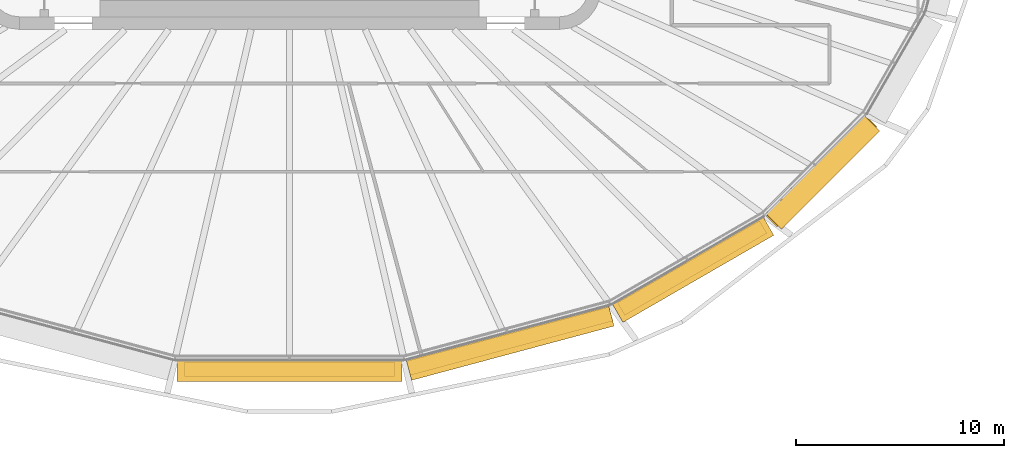
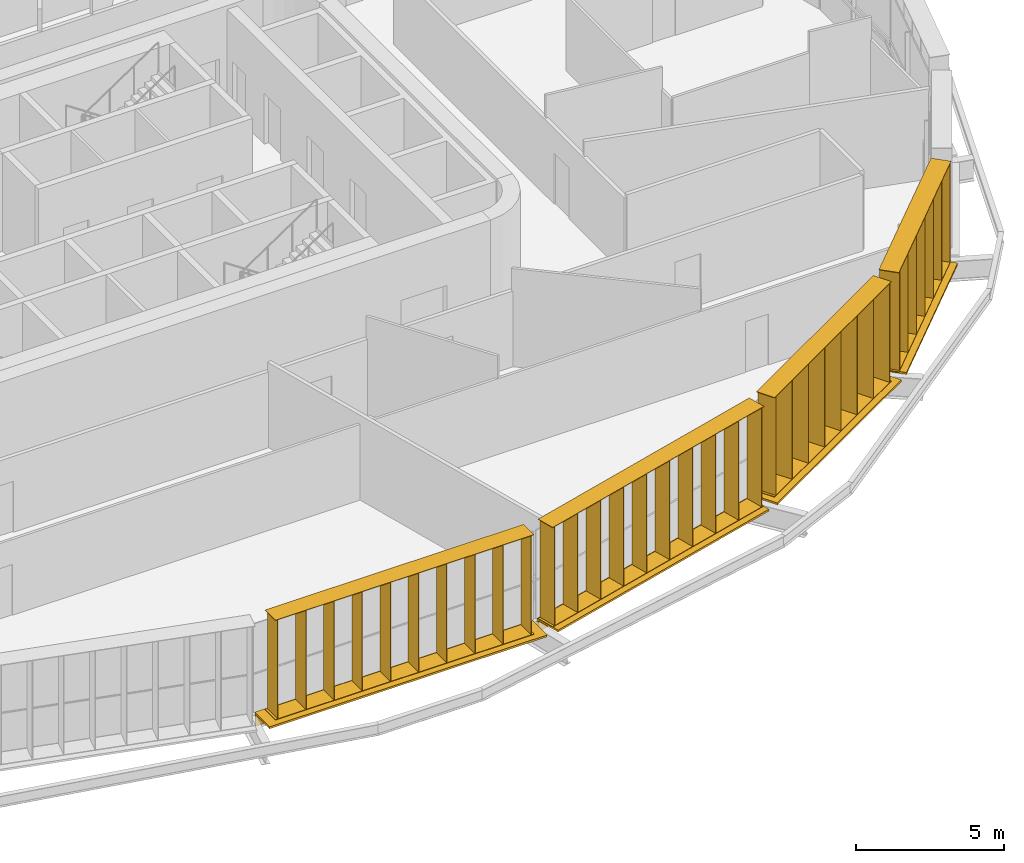
# One storey, part 21 of 24: 8 shading devices.
"""IFC4 building model written with IfcOpenShell, lengths in metres."""

from ifc_helpers import new_model, si_unit, direction, frame, origin, origin_2d, place, context, subcontext, project, spatial, rectangle, extrude, material, type_object, element, save


model = new_model("IFC4")

# Units and contexts
model_context = context("Model", 3, precision=1e-05, world=origin(), true_north=direction((0.0, 1.0)))
body_context = subcontext(model_context, "Body", "Model", "MODEL_VIEW")
ifc_project = project(units=[si_unit("LENGTHUNIT", "METRE"), si_unit("AREAUNIT", "SQUARE_METRE"), si_unit("VOLUMEUNIT", "CUBIC_METRE"), si_unit("PLANEANGLEUNIT", "RADIAN"), si_unit("MASSUNIT", "GRAM", prefix="KILO")], contexts=[model_context])

# Site, building, storey
site_placement = place(None, origin())
site = spatial("IfcSite", under=ifc_project, at=site_placement, CompositionType="ELEMENT")
building_placement = place(site_placement, origin())
building = spatial("IfcBuilding", under=site, at=building_placement, Name="Sahrelin Media Tower", CompositionType="ELEMENT")
storey_placement = place(building_placement, frame((0.0, 0.0, 118.800048828125)))
storey = spatial("IfcBuildingStorey", under=building, at=storey_placement, Name="L23", CompositionType="ELEMENT", Elevation=118.800048828125)

# Shading devices
ifc_material = material(Name="Champagne anodised aluminium 6063-T6", Category="aluminium")
shading_device_type_1 = type_object("IfcShadingDeviceType", Name="Fin cassette", PredefinedType="USERDEFINED", material=ifc_material)
placement_1 = place(storey_placement, frame((0.0, -23.928955078125, 0.0), z_axis=(0.0, 0.0, 1.0), x_axis=(-1.0, 0.0, 0.0)))
element("IfcShadingDevice", 1, at=placement_1, inside=storey, type_object=shading_device_type_1, Name="L23:FIN:L23-18", ObjectType="FIN", PredefinedType="USERDEFINED", context=body_context, shape_type="SweptSolid", body=[
    extrude(rectangle(XDim=10.10009765625, YDim=0.699951171875, at=origin_2d()), frame((0.0, 0.419921875, 0.0)), (0.0, 0.0, 1.0), 0.02001953125),
    extrude(rectangle(XDim=10.10009765625, YDim=0.699951171875, at=origin_2d()), frame((0.0, 0.419921875, 4.10009765625)), (0.0, 0.0, 1.0), 0.02001953125),
    extrude(rectangle(XDim=0.02001953125, YDim=0.699951171875, at=origin_2d()), frame((-4.949951171875, 0.419921875, 0.010009765625), z_axis=(0.0, 0.0, 1.0), x_axis=(1.0, 0.0, 0.0)), (0.0, 0.0, 1.0), 4.10009765625),
    extrude(rectangle(XDim=0.02001953125, YDim=0.699951171875, at=origin_2d()), frame((-3.85009765625, 0.419921875, 0.010009765625), z_axis=(0.0, 0.0, 1.0), x_axis=(1.0, 0.0, 0.0)), (0.0, 0.0, 1.0), 4.10009765625),
    extrude(rectangle(XDim=0.02001953125, YDim=0.699951171875, at=origin_2d()), frame((-2.75, 0.419921875, 0.010009765625), z_axis=(0.0, 0.0, 1.0), x_axis=(1.0, 0.0, 0.0)), (0.0, 0.0, 1.0), 4.10009765625),
    extrude(rectangle(XDim=0.02001953125, YDim=0.699951171875, at=origin_2d()), frame((-1.64990234375, 0.419921875, 0.010009765625), z_axis=(0.0, 0.0, 1.0), x_axis=(1.0, 0.0, 0.0)), (0.0, 0.0, 1.0), 4.10009765625),
    extrude(rectangle(XDim=0.02001953125, YDim=0.699951171875, at=origin_2d()), frame((-0.550048828125, 0.419921875, 0.010009765625), z_axis=(0.0, 0.0, 1.0), x_axis=(1.0, 0.0, 0.0)), (0.0, 0.0, 1.0), 4.10009765625),
    extrude(rectangle(XDim=0.02001953125, YDim=0.699951171875, at=origin_2d()), frame((0.550048828125, 0.419921875, 0.010009765625), z_axis=(0.0, 0.0, 1.0), x_axis=(1.0, 0.0, 0.0)), (0.0, 0.0, 1.0), 4.10009765625),
    extrude(rectangle(XDim=0.02001953125, YDim=0.699951171875, at=origin_2d()), frame((1.64990234375, 0.419921875, 0.010009765625), z_axis=(0.0, 0.0, 1.0), x_axis=(1.0, 0.0, 0.0)), (0.0, 0.0, 1.0), 4.10009765625),
    extrude(rectangle(XDim=0.02001953125, YDim=0.699951171875, at=origin_2d()), frame((2.75, 0.419921875, 0.010009765625), z_axis=(0.0, 0.0, 1.0), x_axis=(1.0, 0.0, 0.0)), (0.0, 0.0, 1.0), 4.10009765625),
    extrude(rectangle(XDim=0.02001953125, YDim=0.699951171875, at=origin_2d()), frame((3.85009765625, 0.419921875, 0.010009765625), z_axis=(0.0, 0.0, 1.0), x_axis=(1.0, 0.0, 0.0)), (0.0, 0.0, 1.0), 4.10009765625),
    extrude(rectangle(XDim=0.02001953125, YDim=0.699951171875, at=origin_2d()), frame((4.949951171875, 0.419921875, 0.010009765625), z_axis=(0.0, 0.0, 1.0), x_axis=(1.0, 0.0, 0.0)), (0.0, 0.0, 1.0), 4.10009765625),
])
placement_2 = place(storey_placement, frame((10.487060546875, -22.59814453125, 0.0), z_axis=(0.0, 0.0, 1.0), x_axis=(-0.965928857556, -0.258807731996, 0.0)))
element("IfcShadingDevice", 2, at=placement_2, inside=storey, type_object=shading_device_type_1, Name="L23:FIN:L23-19", ObjectType="FIN", PredefinedType="USERDEFINED", context=body_context, shape_type="SweptSolid", body=[
    extrude(rectangle(XDim=10.10009765625, YDim=0.699951171875, at=origin_2d()), frame((0.0, 0.419921875, 0.0)), (0.0, 0.0, 1.0), 0.02001953125),
    extrude(rectangle(XDim=10.10009765625, YDim=0.699951171875, at=origin_2d()), frame((0.0, 0.419921875, 4.10009765625)), (0.0, 0.0, 1.0), 0.02001953125),
    extrude(rectangle(XDim=0.02001953125, YDim=0.699951171875, at=origin_2d()), frame((-4.949951171875, 0.419921875, 0.010009765625), z_axis=(0.0, 0.0, 1.0), x_axis=(1.0, 0.0, 0.0)), (0.0, 0.0, 1.0), 4.10009765625),
    extrude(rectangle(XDim=0.02001953125, YDim=0.699951171875, at=origin_2d()), frame((-3.85009765625, 0.419921875, 0.010009765625), z_axis=(0.0, 0.0, 1.0), x_axis=(1.0, 0.0, 0.0)), (0.0, 0.0, 1.0), 4.10009765625),
    extrude(rectangle(XDim=0.02001953125, YDim=0.699951171875, at=origin_2d()), frame((-2.75, 0.419921875, 0.010009765625), z_axis=(0.0, 0.0, 1.0), x_axis=(1.0, 0.0, 0.0)), (0.0, 0.0, 1.0), 4.10009765625),
    extrude(rectangle(XDim=0.02001953125, YDim=0.699951171875, at=origin_2d()), frame((-1.64990234375, 0.419921875, 0.010009765625), z_axis=(0.0, 0.0, 1.0), x_axis=(1.0, 0.0, 0.0)), (0.0, 0.0, 1.0), 4.10009765625),
    extrude(rectangle(XDim=0.02001953125, YDim=0.699951171875, at=origin_2d()), frame((-0.550048828125, 0.419921875, 0.010009765625), z_axis=(0.0, 0.0, 1.0), x_axis=(1.0, 0.0, 0.0)), (0.0, 0.0, 1.0), 4.10009765625),
    extrude(rectangle(XDim=0.02001953125, YDim=0.699951171875, at=origin_2d()), frame((0.550048828125, 0.419921875, 0.010009765625), z_axis=(0.0, 0.0, 1.0), x_axis=(1.0, 0.0, 0.0)), (0.0, 0.0, 1.0), 4.10009765625),
    extrude(rectangle(XDim=0.02001953125, YDim=0.699951171875, at=origin_2d()), frame((1.64990234375, 0.419921875, 0.010009765625), z_axis=(0.0, 0.0, 1.0), x_axis=(1.0, 0.0, 0.0)), (0.0, 0.0, 1.0), 4.10009765625),
    extrude(rectangle(XDim=0.02001953125, YDim=0.699951171875, at=origin_2d()), frame((2.75, 0.419921875, 0.010009765625), z_axis=(0.0, 0.0, 1.0), x_axis=(1.0, 0.0, 0.0)), (0.0, 0.0, 1.0), 4.10009765625),
    extrude(rectangle(XDim=0.02001953125, YDim=0.699951171875, at=origin_2d()), frame((3.85009765625, 0.419921875, 0.010009765625), z_axis=(0.0, 0.0, 1.0), x_axis=(1.0, 0.0, 0.0)), (0.0, 0.0, 1.0), 4.10009765625),
    extrude(rectangle(XDim=0.02001953125, YDim=0.699951171875, at=origin_2d()), frame((4.949951171875, 0.419921875, 0.010009765625), z_axis=(0.0, 0.0, 1.0), x_axis=(1.0, 0.0, 0.0)), (0.0, 0.0, 1.0), 4.10009765625),
])
placement_3 = place(storey_placement, frame((19.17041015625, -19.12158203125, 0.0), z_axis=(0.0, 0.0, 1.0), x_axis=(-0.866019052629, -0.500011000363, 0.0)))
element("IfcShadingDevice", 3, at=placement_3, inside=storey, type_object=shading_device_type_1, Name="L23:FIN:L23-20", ObjectType="FIN", PredefinedType="USERDEFINED", context=body_context, shape_type="SweptSolid", body=[
    extrude(rectangle(XDim=7.89990234375, YDim=0.699951171875, at=origin_2d()), frame((0.0, 0.419921875, 0.0)), (0.0, 0.0, 1.0), 0.02001953125),
    extrude(rectangle(XDim=7.89990234375, YDim=0.699951171875, at=origin_2d()), frame((0.0, 0.419921875, 4.10009765625)), (0.0, 0.0, 1.0), 0.02001953125),
    extrude(rectangle(XDim=0.02001953125, YDim=0.699951171875, at=origin_2d()), frame((-3.85009765625, 0.419921875, 0.010009765625), z_axis=(0.0, 0.0, 1.0), x_axis=(1.0, 0.0, 0.0)), (0.0, 0.0, 1.0), 4.10009765625),
    extrude(rectangle(XDim=0.02001953125, YDim=0.699951171875, at=origin_2d()), frame((-2.75, 0.419921875, 0.010009765625), z_axis=(0.0, 0.0, 1.0), x_axis=(1.0, 0.0, 0.0)), (0.0, 0.0, 1.0), 4.10009765625),
    extrude(rectangle(XDim=0.02001953125, YDim=0.699951171875, at=origin_2d()), frame((-1.64990234375, 0.419921875, 0.010009765625), z_axis=(0.0, 0.0, 1.0), x_axis=(1.0, 0.0, 0.0)), (0.0, 0.0, 1.0), 4.10009765625),
    extrude(rectangle(XDim=0.02001953125, YDim=0.699951171875, at=origin_2d()), frame((-0.550048828125, 0.419921875, 0.010009765625), z_axis=(0.0, 0.0, 1.0), x_axis=(1.0, 0.0, 0.0)), (0.0, 0.0, 1.0), 4.10009765625),
    extrude(rectangle(XDim=0.02001953125, YDim=0.699951171875, at=origin_2d()), frame((0.550048828125, 0.419921875, 0.010009765625), z_axis=(0.0, 0.0, 1.0), x_axis=(1.0, 0.0, 0.0)), (0.0, 0.0, 1.0), 4.10009765625),
    extrude(rectangle(XDim=0.02001953125, YDim=0.699951171875, at=origin_2d()), frame((1.64990234375, 0.419921875, 0.010009765625), z_axis=(0.0, 0.0, 1.0), x_axis=(1.0, 0.0, 0.0)), (0.0, 0.0, 1.0), 4.10009765625),
    extrude(rectangle(XDim=0.02001953125, YDim=0.699951171875, at=origin_2d()), frame((2.75, 0.419921875, 0.010009765625), z_axis=(0.0, 0.0, 1.0), x_axis=(1.0, 0.0, 0.0)), (0.0, 0.0, 1.0), 4.10009765625),
    extrude(rectangle(XDim=0.02001953125, YDim=0.699951171875, at=origin_2d()), frame((3.85009765625, 0.419921875, 0.010009765625), z_axis=(0.0, 0.0, 1.0), x_axis=(1.0, 0.0, 0.0)), (0.0, 0.0, 1.0), 4.10009765625),
])
placement_4 = place(storey_placement, frame((25.322021484375, -14.54052734375, 0.0), z_axis=(0.0, 0.0, 1.0), x_axis=(-0.707106781187, -0.707106781187, 0.0)))
element("IfcShadingDevice", 4, at=placement_4, inside=storey, type_object=shading_device_type_1, Name="L23:FIN:L23-21", ObjectType="FIN", PredefinedType="USERDEFINED", context=body_context, shape_type="SweptSolid", body=[
    extrude(rectangle(XDim=6.800048828125, YDim=0.699951171875, at=origin_2d()), frame((0.0, 0.419921875, 0.0)), (0.0, 0.0, 1.0), 0.02001953125),
    extrude(rectangle(XDim=6.800048828125, YDim=0.699951171875, at=origin_2d()), frame((0.0, 0.419921875, 4.10009765625)), (0.0, 0.0, 1.0), 0.02001953125),
    extrude(rectangle(XDim=0.02001953125, YDim=0.699951171875, at=origin_2d()), frame((-3.300048828125, 0.419921875, 0.010009765625), z_axis=(0.0, 0.0, 1.0), x_axis=(1.0, 0.0, 0.0)), (0.0, 0.0, 1.0), 4.10009765625),
    extrude(rectangle(XDim=0.02001953125, YDim=0.699951171875, at=origin_2d()), frame((-2.199951171875, 0.419921875, 0.010009765625), z_axis=(0.0, 0.0, 1.0), x_axis=(1.0, 0.0, 0.0)), (0.0, 0.0, 1.0), 4.10009765625),
    extrude(rectangle(XDim=0.02001953125, YDim=0.699951171875, at=origin_2d()), frame((-1.10009765625, 0.419921875, 0.010009765625), z_axis=(0.0, 0.0, 1.0), x_axis=(1.0, 0.0, 0.0)), (0.0, 0.0, 1.0), 4.10009765625),
    extrude(rectangle(XDim=0.02001953125, YDim=0.699951171875, at=origin_2d()), frame((0.0, 0.419921875, 0.010009765625), z_axis=(0.0, 0.0, 1.0), x_axis=(1.0, 0.0, 0.0)), (0.0, 0.0, 1.0), 4.10009765625),
    extrude(rectangle(XDim=0.02001953125, YDim=0.699951171875, at=origin_2d()), frame((1.10009765625, 0.419921875, 0.010009765625), z_axis=(0.0, 0.0, 1.0), x_axis=(1.0, 0.0, 0.0)), (0.0, 0.0, 1.0), 4.10009765625),
    extrude(rectangle(XDim=0.02001953125, YDim=0.699951171875, at=origin_2d()), frame((2.199951171875, 0.419921875, 0.010009765625), z_axis=(0.0, 0.0, 1.0), x_axis=(1.0, 0.0, 0.0)), (0.0, 0.0, 1.0), 4.10009765625),
    extrude(rectangle(XDim=0.02001953125, YDim=0.699951171875, at=origin_2d()), frame((3.300048828125, 0.419921875, 0.010009765625), z_axis=(0.0, 0.0, 1.0), x_axis=(1.0, 0.0, 0.0)), (0.0, 0.0, 1.0), 4.10009765625),
])
shading_device_type_2 = type_object("IfcShadingDeviceType", Name="Sunshade band", PredefinedType="USERDEFINED", material=ifc_material)
element("IfcShadingDevice", 5, at=placement_1, inside=storey, type_object=shading_device_type_2, Name="L23:SUN:L23-18", ObjectType="SUNSHADE", PredefinedType="USERDEFINED", context=body_context, shape_type="SweptSolid", body=[
    extrude(rectangle(XDim=10.840576171875, YDim=0.050048828125, at=origin_2d()), frame((0.0, 0.044921875, -0.55126953125)), (0.0, 0.0, 1.0), 0.471435546875),
    extrude(rectangle(XDim=10.840576171875, YDim=1.0, at=origin_2d()), frame((0.0, 0.52001953125, -0.080078125)), (0.0, 0.0, 1.0), 0.080078125),
    extrude(rectangle(XDim=0.10009765625, YDim=0.074951171875, at=origin_2d()), frame((-5.3203125, -0.017578125, -0.47021484375)), (0.0, 0.0, 1.0), 0.300048828125),
    extrude(rectangle(XDim=0.10009765625, YDim=0.074951171875, at=origin_2d()), frame((-3.546875, -0.017578125, -0.47021484375)), (0.0, 0.0, 1.0), 0.300048828125),
    extrude(rectangle(XDim=0.10009765625, YDim=0.074951171875, at=origin_2d()), frame((-1.7734375, -0.017578125, -0.47021484375)), (0.0, 0.0, 1.0), 0.300048828125),
    extrude(rectangle(XDim=0.10009765625, YDim=0.074951171875, at=origin_2d()), frame((0.0, -0.017578125, -0.47021484375)), (0.0, 0.0, 1.0), 0.300048828125),
    extrude(rectangle(XDim=0.10009765625, YDim=0.074951171875, at=origin_2d()), frame((1.7734375, -0.017578125, -0.47021484375)), (0.0, 0.0, 1.0), 0.300048828125),
    extrude(rectangle(XDim=0.10009765625, YDim=0.074951171875, at=origin_2d()), frame((3.546875, -0.017578125, -0.47021484375)), (0.0, 0.0, 1.0), 0.300048828125),
    extrude(rectangle(XDim=0.10009765625, YDim=0.074951171875, at=origin_2d()), frame((5.3203125, -0.017578125, -0.47021484375)), (0.0, 0.0, 1.0), 0.300048828125),
])
element("IfcShadingDevice", 6, at=placement_2, inside=storey, type_object=shading_device_type_2, Name="L23:SUN:L23-19", ObjectType="SUNSHADE", PredefinedType="USERDEFINED", context=body_context, shape_type="SweptSolid", body=[
    extrude(rectangle(XDim=10.083984375, YDim=0.050048828125, at=origin_2d()), frame((0.0, 0.044921875, -0.55126953125)), (0.0, 0.0, 1.0), 0.471435546875),
    extrude(rectangle(XDim=10.083984375, YDim=1.0, at=origin_2d()), frame((0.0, 0.52001953125, -0.080078125)), (0.0, 0.0, 1.0), 0.080078125),
    extrude(rectangle(XDim=0.10009765625, YDim=0.074951171875, at=origin_2d()), frame((-4.94189453125, -0.017578125, -0.47021484375)), (0.0, 0.0, 1.0), 0.300048828125),
    extrude(rectangle(XDim=0.10009765625, YDim=0.074951171875, at=origin_2d()), frame((-3.294677734375, -0.017578125, -0.47021484375)), (0.0, 0.0, 1.0), 0.300048828125),
    extrude(rectangle(XDim=0.10009765625, YDim=0.074951171875, at=origin_2d()), frame((-1.647216796875, -0.017578125, -0.47021484375)), (0.0, 0.0, 1.0), 0.300048828125),
    extrude(rectangle(XDim=0.10009765625, YDim=0.074951171875, at=origin_2d()), frame((0.0, -0.017578125, -0.47021484375)), (0.0, 0.0, 1.0), 0.300048828125),
    extrude(rectangle(XDim=0.10009765625, YDim=0.074951171875, at=origin_2d()), frame((1.647216796875, -0.017578125, -0.47021484375)), (0.0, 0.0, 1.0), 0.300048828125),
    extrude(rectangle(XDim=0.10009765625, YDim=0.074951171875, at=origin_2d()), frame((3.294677734375, -0.017578125, -0.47021484375)), (0.0, 0.0, 1.0), 0.300048828125),
    extrude(rectangle(XDim=0.10009765625, YDim=0.074951171875, at=origin_2d()), frame((4.94189453125, -0.017578125, -0.47021484375)), (0.0, 0.0, 1.0), 0.300048828125),
])
element("IfcShadingDevice", 7, at=placement_3, inside=storey, type_object=shading_device_type_2, Name="L23:SUN:L23-20", ObjectType="SUNSHADE", PredefinedType="USERDEFINED", context=body_context, shape_type="SweptSolid", body=[
    extrude(rectangle(XDim=8.383056640625, YDim=0.050048828125, at=origin_2d()), frame((0.0, 0.044921875, -0.55126953125)), (0.0, 0.0, 1.0), 0.471435546875),
    extrude(rectangle(XDim=8.383056640625, YDim=1.0, at=origin_2d()), frame((0.0, 0.52001953125, -0.080078125)), (0.0, 0.0, 1.0), 0.080078125),
    extrude(rectangle(XDim=0.10009765625, YDim=0.074951171875, at=origin_2d()), frame((-4.091552734375, -0.017578125, -0.47021484375)), (0.0, 0.0, 1.0), 0.300048828125),
    extrude(rectangle(XDim=0.10009765625, YDim=0.074951171875, at=origin_2d()), frame((-2.454833984375, -0.017578125, -0.47021484375)), (0.0, 0.0, 1.0), 0.300048828125),
    extrude(rectangle(XDim=0.10009765625, YDim=0.074951171875, at=origin_2d()), frame((-0.818359375, -0.017578125, -0.47021484375)), (0.0, 0.0, 1.0), 0.300048828125),
    extrude(rectangle(XDim=0.10009765625, YDim=0.074951171875, at=origin_2d()), frame((0.818359375, -0.017578125, -0.47021484375)), (0.0, 0.0, 1.0), 0.300048828125),
    extrude(rectangle(XDim=0.10009765625, YDim=0.074951171875, at=origin_2d()), frame((2.454833984375, -0.017578125, -0.47021484375)), (0.0, 0.0, 1.0), 0.300048828125),
    extrude(rectangle(XDim=0.10009765625, YDim=0.074951171875, at=origin_2d()), frame((4.091552734375, -0.017578125, -0.47021484375)), (0.0, 0.0, 1.0), 0.300048828125),
])
element("IfcShadingDevice", 8, at=placement_4, inside=storey, type_object=shading_device_type_2, Name="L23:SUN:L23-21", ObjectType="SUNSHADE", PredefinedType="USERDEFINED", context=body_context, shape_type="SweptSolid", body=[
    extrude(rectangle(XDim=6.6875, YDim=0.050048828125, at=origin_2d()), frame((0.0, 0.044921875, -0.55126953125)), (0.0, 0.0, 1.0), 0.471435546875),
    extrude(rectangle(XDim=6.6875, YDim=1.0, at=origin_2d()), frame((0.0, 0.52001953125, -0.080078125)), (0.0, 0.0, 1.0), 0.080078125),
    extrude(rectangle(XDim=0.10009765625, YDim=0.074951171875, at=origin_2d()), frame((-3.243896484375, -0.017578125, -0.47021484375)), (0.0, 0.0, 1.0), 0.300048828125),
    extrude(rectangle(XDim=0.10009765625, YDim=0.074951171875, at=origin_2d()), frame((-1.621826171875, -0.017578125, -0.47021484375)), (0.0, 0.0, 1.0), 0.300048828125),
    extrude(rectangle(XDim=0.10009765625, YDim=0.074951171875, at=origin_2d()), frame((0.0, -0.017578125, -0.47021484375)), (0.0, 0.0, 1.0), 0.300048828125),
    extrude(rectangle(XDim=0.10009765625, YDim=0.074951171875, at=origin_2d()), frame((1.621826171875, -0.017578125, -0.47021484375)), (0.0, 0.0, 1.0), 0.300048828125),
    extrude(rectangle(XDim=0.10009765625, YDim=0.074951171875, at=origin_2d()), frame((3.243896484375, -0.017578125, -0.47021484375)), (0.0, 0.0, 1.0), 0.300048828125),
])

save(model, "model.ifc")
